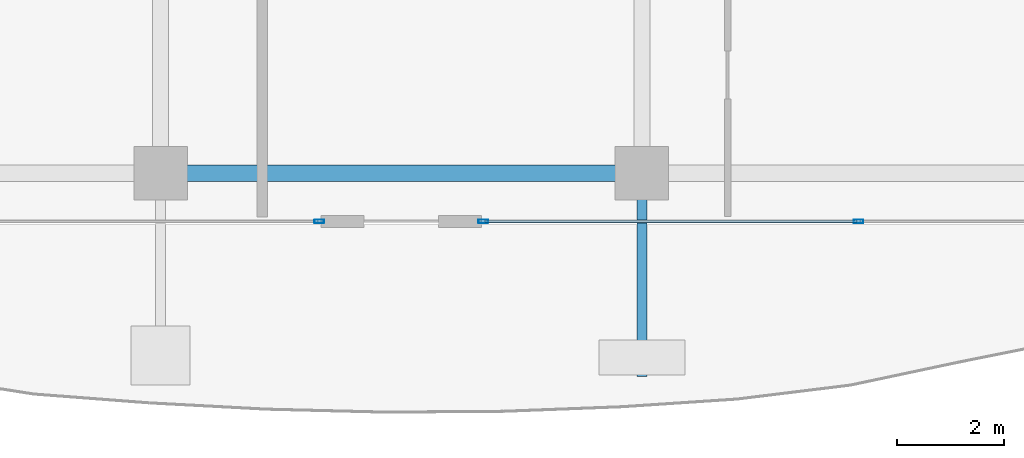
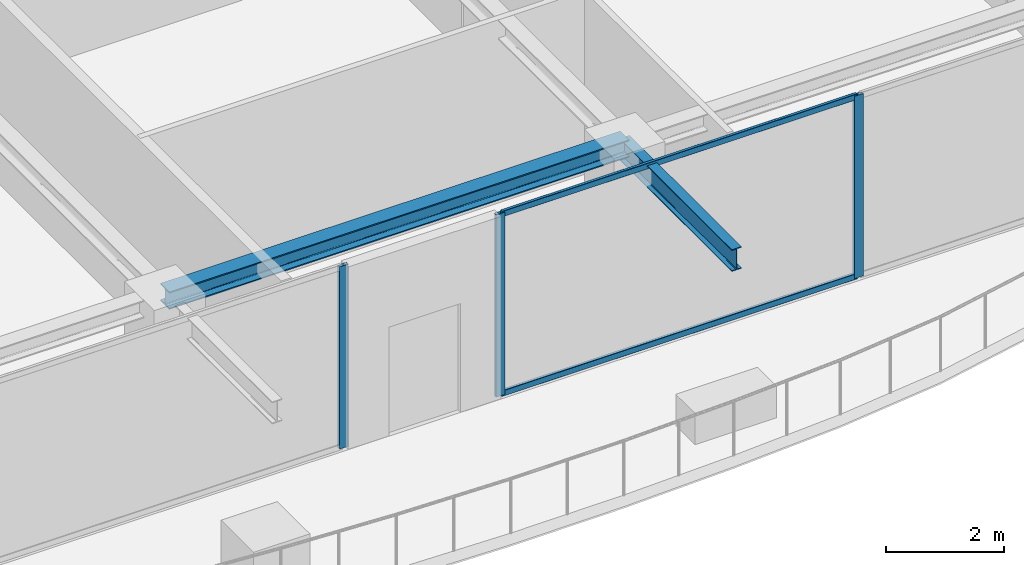
# One storey, part 6 of 42: 5 members, 2 beams, 2 elements without a shape of their own.
"""IFC4 building model written with IfcOpenShell, lengths in metres."""

from ifc_helpers import new_model, si_unit, direction, frame, origin, origin_2d, place, context, subcontext, project, spatial, hollow_rectangle, i_section, extrude, source, transform, mapped, material, layer, layer_set, material_profile, profile_set, type_object, element, aggregate, save


model = new_model("IFC4")

# Units and contexts
model_context = context("Model", 3, precision=1e-05, world=origin(), true_north=direction((0.0, 1.0)))
body_context = subcontext(model_context, "Body", "Model", "MODEL_VIEW")
ifc_project = project(units=[si_unit("LENGTHUNIT", "METRE"), si_unit("AREAUNIT", "SQUARE_METRE"), si_unit("VOLUMEUNIT", "CUBIC_METRE"), si_unit("PLANEANGLEUNIT", "RADIAN"), si_unit("MASSUNIT", "GRAM", prefix="KILO")], contexts=[model_context])

# Site, building, storey
site_placement = place(None, origin())
site = spatial("IfcSite", under=ifc_project, at=site_placement, CompositionType="ELEMENT")
building_placement = place(site_placement, origin())
building = spatial("IfcBuilding", under=site, at=building_placement, Name="Serunith Strait Residences", CompositionType="ELEMENT")
storey_placement = place(building_placement, frame((0.0, 0.0, 293.449951171875)))
storey = spatial("IfcBuildingStorey", under=building, at=storey_placement, Name="L73", CompositionType="ELEMENT", Elevation=293.449951171875)

# Beams
ifc_material_1 = material(Name="Steel S355J2", Category="steel")
ifc_material_profile_1 = material_profile(ifc_material_1, i_section(OverallWidth=0.300048828125, OverallDepth=0.360107421875, WebThickness=0.012451171875, FlangeThickness=0.0224609375, FilletRadius=0.027099609375, at=origin_2d()), Name="HEB 360")
ifc_profile_set_1 = profile_set([ifc_material_profile_1], Name="Steel S355J2")
beam_type_1 = type_object("IfcBeamType", Name="BM-HEB360", PredefinedType="BEAM", material=ifc_profile_set_1)
shared_shape_1 = source(origin(), body_context, "Body", "SweptSolid", [
    extrude(i_section(OverallWidth=0.300048828125, OverallDepth=0.360107421875, WebThickness=0.012451171875, FlangeThickness=0.0224609375, FilletRadius=0.027099609375, at=origin_2d()), origin(), (0.0, 0.0, 1.0), 9.0),
])
beam_1_placement = place(storey_placement, frame((27.89990234375, 3.300048828125, 3.60693359375), z_axis=(1.0, 0.0, 0.0), x_axis=(0.0, 1.0, 0.0)))
element("IfcBeam", 1, at=beam_1_placement, inside=storey, type_object=beam_type_1, Name="L73 Perimeter Ring Beam 02", PredefinedType="BEAM", context=body_context, shape_type="MappedRepresentation", body=[
    mapped(shared_shape_1, transform((0.0, 0.0, 0.0), scale=1.0)),
])
ifc_material_profile_2 = material_profile(ifc_material_1, i_section(OverallWidth=0.18994140625, OverallDepth=0.449951171875, WebThickness=0.009521484375, FlangeThickness=0.0146484375, FilletRadius=0.02099609375, at=origin_2d()), Name="IPE 450")
ifc_profile_set_2 = profile_set([ifc_material_profile_2], Name="Steel S355J2")
beam_type_2 = type_object("IfcBeamType", Name="BM-IPE450", PredefinedType="JOIST", material=ifc_profile_set_2)
shared_shape_2 = source(origin(), body_context, "Body", "SweptSolid", [
    extrude(i_section(OverallWidth=0.18994140625, OverallDepth=0.449951171875, WebThickness=0.009521484375, FlangeThickness=0.0146484375, FilletRadius=0.02099609375, at=origin_2d()), origin(), (0.0, 0.0, 1.0), 3.800048828125),
])
beam_2_placement = place(storey_placement, frame((36.89990234375, 3.300048828125, 3.531982421875), z_axis=(0.0, -1.0, 0.0), x_axis=(1.0, 0.0, 0.0)))
element("IfcBeam", 2, at=beam_2_placement, inside=storey, type_object=beam_type_2, Name="L74 Cantilevered Balcony Rib TC-S3", PredefinedType="JOIST", context=body_context, shape_type="MappedRepresentation", body=[
    mapped(shared_shape_2, transform((0.0, 0.0, 0.0), scale=1.0)),
])

# Curtain wall, member
ifc_material_2 = material(Name="Brushed Stainless-Silver Aluminium", Category="aluminium")
ifc_layer = layer(ifc_material_2, 0.199951171875, Name="Brushed Stainless-Silver Aluminium")
ifc_layer_set = layer_set([ifc_layer], Name="Brushed Stainless-Silver Aluminium")
curtain_wall_type = type_object("IfcCurtainWallType", Name="CW-SYS5", PredefinedType="NOTDEFINED", material=ifc_layer_set)
curtain_wall_1_placement = place(storey_placement, origin())
curtain_wall_1 = element("IfcCurtainWall", 3, at=curtain_wall_1_placement, inside=storey, type_object=curtain_wall_type, Name="L73 S Unitised Fritted Curtain Wall", PredefinedType="NOTDEFINED")
ifc_material_profile_3 = material_profile(ifc_material_2, hollow_rectangle(XDim=0.06494140625, YDim=0.179931640625, WallThickness=0.00341796875, InnerFilletRadius=0.00537109375, OuterFilletRadius=0.0087890625, at=origin_2d()), Name="ALU 180x65x3.5")
ifc_profile_set_3 = profile_set([ifc_material_profile_3], Name="Brushed Stainless-Silver Aluminium")
member_type_1 = type_object("IfcMemberType", Name="CW-SYS5-MULL", PredefinedType="MULLION", material=ifc_profile_set_3)
shared_shape_3 = source(origin(), body_context, "Body", "SweptSolid", [
    extrude(hollow_rectangle(XDim=0.06494140625, YDim=0.179931640625, WallThickness=0.00341796875, InnerFilletRadius=0.00537109375, OuterFilletRadius=0.0087890625, at=origin_2d()), origin(), (0.0, 0.0, 1.0), 3.775146484375),
])
member_1_placement = place(storey_placement, frame((30.867431640625, 2.39990234375, 0.0), z_axis=(0.0, 0.0, 1.0), x_axis=(0.0, 1.0, 0.0)))
member_1 = element("IfcMember", 4, at=member_1_placement, type_object=member_type_1, Name="CW-5 mullion 3", PredefinedType="MULLION", context=body_context, shape_type="MappedRepresentation", body=[
    mapped(shared_shape_3, transform((0.0, 0.0, 0.0), scale=1.0)),
])
aggregate(curtain_wall_1, [member_1])

# Curtain wall, members
curtain_wall_2_placement = place(storey_placement, origin())
curtain_wall_2 = element("IfcCurtainWall", 5, at=curtain_wall_2_placement, inside=storey, type_object=curtain_wall_type, Name="L73 S Unitised Fritted Curtain Wall", PredefinedType="NOTDEFINED")
member_2_placement = place(storey_placement, frame((33.9326171875, 2.39990234375, 0.0), z_axis=(0.0, 0.0, 1.0), x_axis=(0.0, 1.0, 0.0)))
member_2 = element("IfcMember", 6, at=member_2_placement, type_object=member_type_1, Name="CW-5 mullion 1", PredefinedType="MULLION", context=body_context, shape_type="MappedRepresentation", body=[
    mapped(shared_shape_3, transform((0.0, 0.0, 0.0), scale=1.0)),
])
member_3_placement = place(storey_placement, frame((40.949951171875, 2.39990234375, 0.0), z_axis=(0.0, 0.0, 1.0), x_axis=(0.0, 1.0, 0.0)))
member_3 = element("IfcMember", 7, at=member_3_placement, type_object=member_type_1, Name="CW-5 mullion 2", PredefinedType="MULLION", context=body_context, shape_type="MappedRepresentation", body=[
    mapped(shared_shape_3, transform((0.0, 0.0, 0.0), scale=1.0)),
])
ifc_material_profile_4 = material_profile(ifc_material_2, hollow_rectangle(XDim=0.06005859375, YDim=0.1201171875, WallThickness=0.00341796875, InnerFilletRadius=0.00537109375, OuterFilletRadius=0.0087890625, at=origin_2d()), Name="ALU 120x60x3.5")
ifc_profile_set_4 = profile_set([ifc_material_profile_4], Name="Brushed Stainless-Silver Aluminium")
member_type_2 = type_object("IfcMemberType", Name="CW-SYS5-TRAN", PredefinedType="USERDEFINED", material=ifc_profile_set_4)
shared_shape_4 = source(origin(), body_context, "Body", "SweptSolid", [
    extrude(hollow_rectangle(XDim=0.06005859375, YDim=0.1201171875, WallThickness=0.00341796875, InnerFilletRadius=0.00537109375, OuterFilletRadius=0.0087890625, at=origin_2d()), origin(), (0.0, 0.0, 1.0), 6.952392578125),
])
member_4_placement = place(storey_placement, frame((33.965087890625, 2.39990234375, 0.030029296875), z_axis=(1.0, 0.0, 0.0), x_axis=(0.0, 1.0, 0.0)))
member_4 = element("IfcMember", 8, at=member_4_placement, type_object=member_type_2, Name="CW-5 transom 1.1", ObjectType="TRANSOM", PredefinedType="USERDEFINED", context=body_context, shape_type="MappedRepresentation", body=[
    mapped(shared_shape_4, transform((0.0, 0.0, 0.0), scale=1.0)),
])
member_5_placement = place(storey_placement, frame((33.965087890625, 2.39990234375, 3.7451171875), z_axis=(1.0, 0.0, 0.0), x_axis=(0.0, 1.0, 0.0)))
member_5 = element("IfcMember", 9, at=member_5_placement, type_object=member_type_2, Name="CW-5 transom 1.2", ObjectType="TRANSOM", PredefinedType="USERDEFINED", context=body_context, shape_type="MappedRepresentation", body=[
    mapped(shared_shape_4, transform((0.0, 0.0, 0.0), scale=1.0)),
])
aggregate(curtain_wall_2, [member_2, member_3, member_4, member_5])

save(model, "model.ifc")
